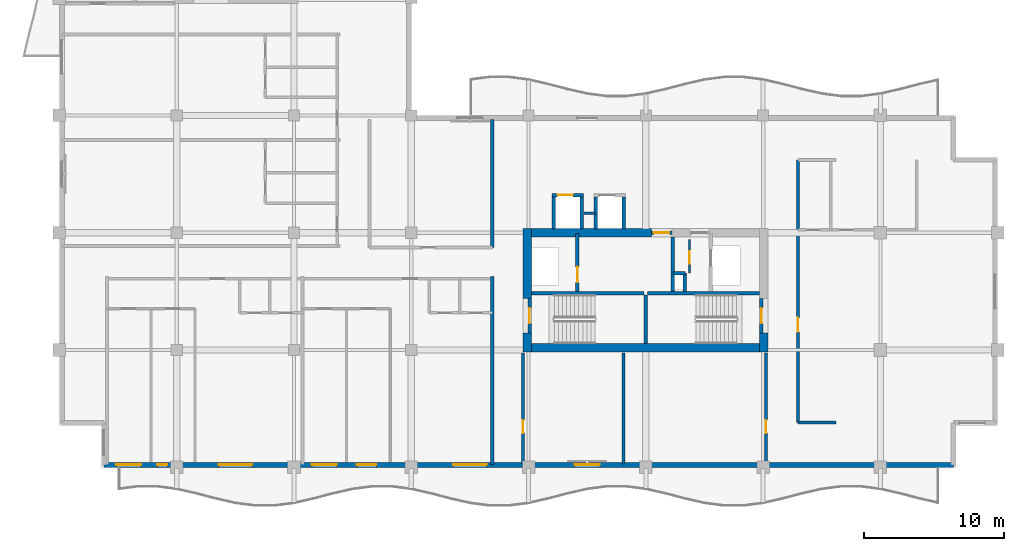
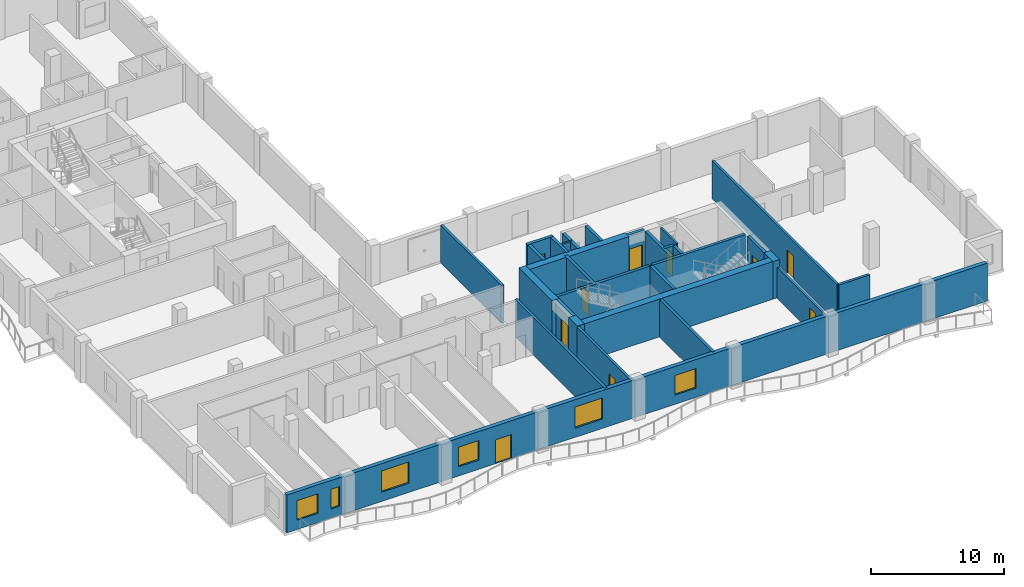
# One storey, part 4 of 12: 30 walls, 10 doors, 6 windows, 16 openings.
"""IFC4 building model written with IfcOpenShell, lengths in metres."""

from ifc_helpers import new_model, si_unit, direction, frame, frame_2d, origin, place, context, subcontext, project, spatial, rectangle, extrude, material, layer, layer_set, type_object, element, fill, save


model = new_model("IFC4")

# Units and contexts
model_context = context("Model", 3, precision=1e-05, world=origin(), true_north=direction((0.0, 1.0)))
body_context = subcontext(model_context, "Body", "Model", "MODEL_VIEW")
ifc_project = project(units=[si_unit("LENGTHUNIT", "METRE"), si_unit("AREAUNIT", "SQUARE_METRE"), si_unit("VOLUMEUNIT", "CUBIC_METRE"), si_unit("PLANEANGLEUNIT", "RADIAN"), si_unit("MASSUNIT", "GRAM", prefix="KILO")], contexts=[model_context])

# Site, building, storey
site_placement = place(None, origin())
site = spatial("IfcSite", under=ifc_project, at=site_placement, CompositionType="ELEMENT")
building_placement = place(site_placement, origin())
building = spatial("IfcBuilding", under=site, at=building_placement, Name="Koriwani Terraces Tower", CompositionType="ELEMENT")
storey_placement = place(building_placement, frame((0.0, 0.0, 256.39990234375)))
storey = spatial("IfcBuildingStorey", under=building, at=storey_placement, Name="L63", CompositionType="ELEMENT", Elevation=256.39990234375)

# Walls
ifc_material_1 = material(Name="Concrete C60/75", Category="concrete")
ifc_layer_1 = layer(ifc_material_1, 0.60009765625, Name="Concrete C60/75")
ifc_layer_set_1 = layer_set([ifc_layer_1], Name="Concrete C60/75")
wall_type_1 = type_object("IfcWallType", Name="WALL_CORE_RC_600", PredefinedType="SHEAR", material=ifc_layer_set_1)
wall_1_placement = place(storey_placement, frame((41.89990234375, 16.64990234375, 0.0), z_axis=(0.0, 0.0, 1.0), x_axis=(0.0, 1.0, 0.0)))
element("IfcWall", 1, at=wall_1_placement, inside=storey, type_object=wall_type_1, Name="L63 East Split Core Shear Wall W1", PredefinedType="SHEAR", context=body_context, shape_type="SweptSolid", body=[
    extrude(rectangle(XDim=1.35009765625, YDim=0.60009765625, at=frame_2d((0.675048828125, 0.0))), origin(), (0.0, 0.0, 1.0), 3.47021484375),
])
wall_2_placement = place(storey_placement, frame((41.89990234375, 20.5, 0.0), z_axis=(0.0, 0.0, 1.0), x_axis=(0.0, 1.0, 0.0)))
element("IfcWall", 2, at=wall_2_placement, inside=storey, type_object=wall_type_1, Name="L63 East Split Core Shear Wall W2", PredefinedType="SHEAR", context=body_context, shape_type="SweptSolid", body=[
    extrude(rectangle(XDim=5.0, YDim=0.60009765625, at=frame_2d((2.5, 0.0))), origin(), (0.0, 0.0, 1.0), 3.47021484375),
])
wall_3_placement = place(storey_placement, frame((58.85009765625, 16.64990234375, 0.0), z_axis=(0.0, 0.0, 1.0), x_axis=(0.0, 1.0, 0.0)))
element("IfcWall", 3, at=wall_3_placement, inside=storey, type_object=wall_type_1, Name="L63 East Split Core Shear Wall E1", PredefinedType="SHEAR", context=body_context, shape_type="SweptSolid", body=[
    extrude(rectangle(XDim=1.35009765625, YDim=0.60009765625, at=frame_2d((0.675048828125, 0.0))), origin(), (0.0, 0.0, 1.0), 3.47021484375),
])
wall_4_placement = place(storey_placement, frame((42.199951171875, 16.949951171875, 0.0), z_axis=(0.0, 0.0, 1.0), x_axis=(1.0, 0.0, 0.0)))
element("IfcWall", 4, at=wall_4_placement, inside=storey, type_object=wall_type_1, Name="L63 East Split Core Shear Wall S1", PredefinedType="SHEAR", context=body_context, shape_type="SweptSolid", body=[
    extrude(rectangle(XDim=16.35009765625, YDim=0.60009765625, at=frame_2d((8.175048828125, 0.0))), origin(), (0.0, 0.0, 1.0), 3.47021484375),
])
wall_5_placement = place(storey_placement, frame((42.199951171875, 25.199951171875, 0.0), z_axis=(0.0, 0.0, 1.0), x_axis=(1.0, 0.0, 0.0)))
element("IfcWall", 5, at=wall_5_placement, inside=storey, type_object=wall_type_1, Name="L63 East Split Core Shear Wall N1", PredefinedType="SHEAR", context=body_context, shape_type="SweptSolid", body=[
    extrude(rectangle(XDim=8.60009765625, YDim=0.60009765625, at=frame_2d((4.300048828125, 0.0))), origin(), (0.0, 0.0, 1.0), 3.47021484375),
])

# Wall, opening, door
ifc_material_2 = material(Name="Autoclaved Cellular Concrete Blockwork", Category="masonry")
ifc_layer_2 = layer(ifc_material_2, 0.199951171875, Name="Autoclaved Cellular Concrete Blockwork")
ifc_layer_set_2 = layer_set([ifc_layer_2], Name="Autoclaved Cellular Concrete Blockwork")
wall_type_2 = type_object("IfcWallType", Name="WALL_CORRIDOR_200", PredefinedType="PARTITIONING", material=ifc_layer_set_2)
wall_6_placement = place(storey_placement, frame((41.60009765625, 8.64990234375, 0.0), z_axis=(0.0, 0.0, 1.0), x_axis=(0.0, 1.0, 0.0)))
wall_6 = element("IfcWall", 6, at=wall_6_placement, inside=storey, type_object=wall_type_2, Name="L63 Interior Wall WRZ4-EW-L63", PredefinedType="PARTITIONING", context=body_context, shape_type="SweptSolid", body=[
    extrude(rectangle(XDim=7.9501953125, YDim=0.199951171875, at=frame_2d((3.97509765625, 0.0))), origin(), (0.0, 0.0, 1.0), 3.47021484375),
])
opening_1_placement = place(wall_6_placement, frame((2.199951171875, 0.0, 0.0)))
opening_1 = element("IfcOpeningElement", 7, at=opening_1_placement, cuts=wall_6, Name="Opening D-06", PredefinedType="OPENING", context=body_context, shape_type="SweptSolid", body=[
    extrude(rectangle(XDim=0.919921875, YDim=2.10009765625, at=frame_2d((0.4599609375, 1.050048828125))), frame((0.0, 0.10986328125, 0.0), z_axis=(0.0, -1.0, 0.0), x_axis=(1.0, 0.0, 0.0)), (0.0, 0.0, 1.0), 0.219970703125),
])
ifc_material_3 = material(Name="Architectural Oak Fire Door", Category="wood")
door_type_1 = type_object("IfcDoorType", Name="DOOR_ROOM_INT_920X2100", OperationType="NOTDEFINED", PredefinedType="DOOR", material=ifc_material_3)
door_1_placement = place(opening_1_placement, origin())
door_1 = element("IfcDoor", 8, at=door_1_placement, inside=storey, type_object=door_type_1, Name="L63 Resident Library Study Door", OperationType="SINGLE_SWING_RIGHT", OverallHeight=2.10009765625, OverallWidth=0.919921875, PredefinedType="DOOR", context=body_context, shape_type="SweptSolid", body=[
    extrude(rectangle(XDim=0.919921875, YDim=2.10009765625, at=frame_2d((0.4599609375, 1.050048828125))), frame((0.0, 0.02490234375, 0.0), z_axis=(0.0, -1.0, 0.0), x_axis=(1.0, 0.0, 0.0)), (0.0, 0.0, 1.0), 0.050048828125),
])
fill(opening_1, door_1)

wall_7_placement = place(storey_placement, frame((59.0, 8.64990234375, 0.0), z_axis=(0.0, 0.0, 1.0), x_axis=(0.0, 1.0, 0.0)))
wall_7 = element("IfcWall", 9, at=wall_7_placement, inside=storey, type_object=wall_type_2, Name="L63 Interior Wall WRZ4-EE-L63", PredefinedType="PARTITIONING", context=body_context, shape_type="SweptSolid", body=[
    extrude(rectangle(XDim=7.9501953125, YDim=0.199951171875, at=frame_2d((3.97509765625, 0.0))), origin(), (0.0, 0.0, 1.0), 2.820068359375),
])
opening_2_placement = place(wall_7_placement, frame((2.199951171875, 0.0, 0.0)))
opening_2 = element("IfcOpeningElement", 10, at=opening_2_placement, cuts=wall_7, Name="Opening D-06", PredefinedType="OPENING", context=body_context, shape_type="SweptSolid", body=[
    extrude(rectangle(XDim=0.919921875, YDim=2.10009765625, at=frame_2d((0.4599609375, 1.050048828125))), frame((0.0, 0.10986328125, 0.0), z_axis=(0.0, -1.0, 0.0), x_axis=(1.0, 0.0, 0.0)), (0.0, 0.0, 1.0), 0.219970703125),
])
door_2_placement = place(opening_2_placement, origin())
door_2 = element("IfcDoor", 11, at=door_2_placement, inside=storey, type_object=door_type_1, Name="L63 Resident Laundry Room Door", OperationType="SINGLE_SWING_LEFT", OverallHeight=2.10009765625, OverallWidth=0.919921875, PredefinedType="DOOR", context=body_context, shape_type="SweptSolid", body=[
    extrude(rectangle(XDim=0.919921875, YDim=2.10009765625, at=frame_2d((0.4599609375, 1.050048828125))), frame((0.0, 0.02490234375, 0.0), z_axis=(0.0, -1.0, 0.0), x_axis=(1.0, 0.0, 0.0)), (0.0, 0.0, 1.0), 0.050048828125),
])
fill(opening_2, door_2)

wall_8_placement = place(storey_placement, frame((61.300048828125, 11.60009765625, 0.0), z_axis=(0.0, 0.0, 1.0), x_axis=(0.0, 1.0, 0.0)))
wall_8 = element("IfcWall", 12, at=wall_8_placement, inside=storey, type_object=wall_type_2, Name="L63 Interior Wall WET-W-L63", PredefinedType="PARTITIONING", context=body_context, shape_type="SweptSolid", body=[
    extrude(rectangle(XDim=18.7998046875, YDim=0.199951171875, at=frame_2d((9.39990234375, 0.0))), origin(), (0.0, 0.0, 1.0), 3.47021484375),
])
opening_3_placement = place(wall_8_placement, frame((6.5, 0.0, 0.0)))
opening_3 = element("IfcOpeningElement", 13, at=opening_3_placement, cuts=wall_8, Name="Opening D-05", PredefinedType="OPENING", context=body_context, shape_type="SweptSolid", body=[
    extrude(rectangle(XDim=1.0, YDim=2.14990234375, at=frame_2d((0.5, 1.074951171875))), frame((0.0, 0.10986328125, 0.0), z_axis=(0.0, -1.0, 0.0), x_axis=(1.0, 0.0, 0.0)), (0.0, 0.0, 1.0), 0.219970703125),
])
door_type_2 = type_object("IfcDoorType", Name="DOOR_SUITE_ENTRY_1000X2150", OperationType="NOTDEFINED", PredefinedType="DOOR", material=ifc_material_3)
door_3_placement = place(opening_3_placement, origin())
door_3 = element("IfcDoor", 14, at=door_3_placement, inside=storey, type_object=door_type_2, Name="Apartment 63ET Entrance Door", OperationType="SINGLE_SWING_LEFT", OverallHeight=2.14990234375, OverallWidth=1.0, PredefinedType="DOOR", context=body_context, shape_type="SweptSolid", body=[
    extrude(rectangle(XDim=1.0, YDim=2.14990234375, at=frame_2d((0.5, 1.074951171875))), frame((0.0, 0.02490234375, 0.0), z_axis=(0.0, -1.0, 0.0), x_axis=(1.0, 0.0, 0.0)), (0.0, 0.0, 1.0), 0.050048828125),
])
fill(opening_3, door_3)

# Walls
ifc_layer_3 = layer(ifc_material_2, 0.219970703125, Name="Autoclaved Cellular Concrete Blockwork")
ifc_layer_set_3 = layer_set([ifc_layer_3], Name="Autoclaved Cellular Concrete Blockwork")
wall_type_3 = type_object("IfcWallType", Name="WALL_DEMISING_220", PredefinedType="PARTITIONING", material=ifc_layer_set_3)
wall_9_placement = place(storey_placement, frame((39.39990234375, 24.14990234375, 0.0), z_axis=(0.0, 0.0, 1.0), x_axis=(0.0, 1.0, 0.0)))
element("IfcWall", 15, at=wall_9_placement, inside=storey, type_object=wall_type_3, Name="L63 Interior Wall WIC4SE-L63", PredefinedType="PARTITIONING", context=body_context, shape_type="SweptSolid", body=[
    extrude(rectangle(XDim=9.150146484375, YDim=0.219970703125, at=frame_2d((4.5751953125, 0.0))), origin(), (0.0, 0.0, 1.0), 3.47021484375),
])
wall_10_placement = place(storey_placement, frame((48.800048828125, 8.64990234375, 0.0), z_axis=(0.0, 0.0, 1.0), x_axis=(0.0, 1.0, 0.0)))
element("IfcWall", 16, at=wall_10_placement, inside=storey, type_object=wall_type_3, Name="L63 Interior Wall WRZ4-EM-L63", PredefinedType="PARTITIONING", context=body_context, shape_type="SweptSolid", body=[
    extrude(rectangle(XDim=7.9501953125, YDim=0.219970703125, at=frame_2d((3.97509765625, 0.0))), origin(), (0.0, 0.0, 1.0), 3.47021484375),
])
wall_11_placement = place(storey_placement, frame((39.39990234375, 8.60009765625, 0.0), z_axis=(0.0, 0.0, 1.0), x_axis=(0.0, 1.0, 0.0)))
element("IfcWall", 17, at=wall_11_placement, inside=storey, type_object=wall_type_3, Name="L63 Interior Wall WRDEME-L63-SW", PredefinedType="PARTITIONING", context=body_context, shape_type="SweptSolid", body=[
    extrude(rectangle(XDim=13.47998046875, YDim=0.219970703125, at=frame_2d((6.739990234375, 0.0))), origin(), (0.0, 0.0, 1.0), 3.47021484375),
])
wall_12_placement = place(storey_placement, frame((61.300048828125, 11.60009765625, 0.0), z_axis=(0.0, 0.0, 1.0), x_axis=(1.0, 0.0, 0.0)))
element("IfcWall", 18, at=wall_12_placement, inside=storey, type_object=wall_type_3, Name="L63 Interior Wall WET-S-L63", PredefinedType="PARTITIONING", context=body_context, shape_type="SweptSolid", body=[
    extrude(rectangle(XDim=2.699951171875, YDim=0.219970703125, at=frame_2d((1.35009765625, 0.0))), origin(), (0.0, 0.0, 1.0), 3.47021484375),
])

# Wall, openings, door, windows
ifc_material_4 = material(Name="Concrete C50/60", Category="concrete")
ifc_layer_4 = layer(ifc_material_4, 0.35009765625, Name="Concrete C50/60")
ifc_layer_set_4 = layer_set([ifc_layer_4], Name="Concrete C50/60")
wall_type_4 = type_object("IfcWallType", Name="WALL_EXT_BRUTALIST_350", PredefinedType="STANDARD", material=ifc_layer_set_4)
wall_13_placement = place(storey_placement, frame((72.425048828125, 8.574951171875, 0.0), z_axis=(0.0, 0.0, 1.0), x_axis=(-1.0, 0.0, 0.0)))
wall_13 = element("IfcWall", 19, at=wall_13_placement, inside=storey, type_object=wall_type_4, Name="L63 Fair-Faced Brutalist Exterior Wall (S)", PredefinedType="STANDARD", context=body_context, shape_type="SweptSolid", body=[
    extrude(rectangle(XDim=60.85009765625, YDim=0.35009765625, at=frame_2d((30.425048828125, 0.0))), origin(), (0.0, 0.0, 1.0), 3.47021484375),
])
opening_4_placement = place(wall_13_placement, frame((41.324951171875, 0.0, 0.0)))
opening_4 = element("IfcOpeningElement", 20, at=opening_4_placement, cuts=wall_13, Name="Opening D-09", PredefinedType="OPENING", context=body_context, shape_type="SweptSolid", body=[
    extrude(rectangle(XDim=1.39990234375, YDim=2.199951171875, at=frame_2d((0.699951171875, 1.10009765625))), frame((0.0, 0.18505859375, 0.0), z_axis=(0.0, -1.0, 0.0), x_axis=(1.0, 0.0, 0.0)), (0.0, 0.0, 1.0), 0.3701171875),
])
opening_5_placement = place(wall_13_placement, frame((50.22509765625, 0.0, 0.85009765625)))
opening_5 = element("IfcOpeningElement", 21, at=opening_5_placement, cuts=wall_13, Name="Opening W-03", PredefinedType="OPENING", context=body_context, shape_type="SweptSolid", body=[
    extrude(rectangle(XDim=2.39990234375, YDim=1.949951171875, at=frame_2d((1.199951171875, 0.97509765625))), frame((0.0, 0.18505859375, 0.0), z_axis=(0.0, -1.0, 0.0), x_axis=(1.0, 0.0, 0.0)), (0.0, 0.0, 1.0), 0.3701171875),
])
opening_6_placement = place(wall_13_placement, frame((33.425048828125, 0.0, 0.85009765625)))
opening_6 = element("IfcOpeningElement", 22, at=opening_6_placement, cuts=wall_13, Name="Opening W-03", PredefinedType="OPENING", context=body_context, shape_type="SweptSolid", body=[
    extrude(rectangle(XDim=2.39990234375, YDim=1.949951171875, at=frame_2d((1.199951171875, 0.97509765625))), frame((0.0, 0.18505859375, 0.0), z_axis=(0.0, -1.0, 0.0), x_axis=(1.0, 0.0, 0.0)), (0.0, 0.0, 1.0), 0.3701171875),
])
opening_7_placement = place(wall_13_placement, frame((25.324951171875, 0.0, 0.85009765625)))
opening_7 = element("IfcOpeningElement", 23, at=opening_7_placement, cuts=wall_13, Name="Opening W-04", PredefinedType="OPENING", context=body_context, shape_type="SweptSolid", body=[
    extrude(rectangle(XDim=1.800048828125, YDim=1.800048828125, at=frame_2d((0.89990234375, 0.89990234375))), frame((0.0, 0.18505859375, 0.0), z_axis=(0.0, -1.0, 0.0), x_axis=(1.0, 0.0, 0.0)), (0.0, 0.0, 1.0), 0.3701171875),
])
opening_8_placement = place(wall_13_placement, frame((58.14990234375, 0.0, 0.85009765625)))
opening_8 = element("IfcOpeningElement", 24, at=opening_8_placement, cuts=wall_13, Name="Opening W-04", PredefinedType="OPENING", context=body_context, shape_type="SweptSolid", body=[
    extrude(rectangle(XDim=1.800048828125, YDim=1.800048828125, at=frame_2d((0.89990234375, 0.89990234375))), frame((0.0, 0.18505859375, 0.0), z_axis=(0.0, -1.0, 0.0), x_axis=(1.0, 0.0, 0.0)), (0.0, 0.0, 1.0), 0.3701171875),
])
opening_9_placement = place(wall_13_placement, frame((56.2900390625, 0.0, 0.85009765625)))
opening_9 = element("IfcOpeningElement", 25, at=opening_9_placement, cuts=wall_13, Name="Opening W-08", PredefinedType="OPENING", context=body_context, shape_type="SweptSolid", body=[
    extrude(rectangle(XDim=0.719970703125, YDim=1.800048828125, at=frame_2d((0.35986328125, 0.89990234375))), frame((0.0, 0.18505859375, 0.0), z_axis=(0.0, -1.0, 0.0), x_axis=(1.0, 0.0, 0.0)), (0.0, 0.0, 1.0), 0.3701171875),
])
opening_10_placement = place(wall_13_placement, frame((44.14990234375, 0.0, 0.85009765625)))
opening_10 = element("IfcOpeningElement", 26, at=opening_10_placement, cuts=wall_13, Name="Opening W-04", PredefinedType="OPENING", context=body_context, shape_type="SweptSolid", body=[
    extrude(rectangle(XDim=1.800048828125, YDim=1.800048828125, at=frame_2d((0.89990234375, 0.89990234375))), frame((0.0, 0.18505859375, 0.0), z_axis=(0.0, -1.0, 0.0), x_axis=(1.0, 0.0, 0.0)), (0.0, 0.0, 1.0), 0.3701171875),
])
ifc_material_5 = material(Name="Anodised Bronze Aluminium", Category="aluminium")
door_type_3 = type_object("IfcDoorType", Name="DOOR_BALCONY_GLAZED_1400X2200", OperationType="NOTDEFINED", PredefinedType="DOOR", material=ifc_material_5)
door_4_placement = place(opening_4_placement, origin())
door_4 = element("IfcDoor", 27, at=door_4_placement, inside=storey, type_object=door_type_3, Name="L63 South Balcony Glazed Door", OperationType="SINGLE_SWING_LEFT", OverallHeight=2.199951171875, OverallWidth=1.39990234375, PredefinedType="DOOR", context=body_context, shape_type="SweptSolid", body=[
    extrude(rectangle(XDim=1.39990234375, YDim=2.199951171875, at=frame_2d((0.699951171875, 1.10009765625))), frame((0.0, 0.02490234375, 0.0), z_axis=(0.0, -1.0, 0.0), x_axis=(1.0, 0.0, 0.0)), (0.0, 0.0, 1.0), 0.050048828125),
])
fill(opening_4, door_4)
ifc_material_6 = material(Name="Tempered Laminated Low-E Glass", Category="glass")
window_type_1 = type_object("IfcWindowType", Name="WIN_RES_BED_1800X1800", PartitioningType="DOUBLE_PANEL_VERTICAL", PredefinedType="WINDOW", material=ifc_material_6)
window_1_placement = place(opening_7_placement, origin())
window_1 = element("IfcWindow", 28, at=window_1_placement, inside=storey, type_object=window_type_1, Name="L63 Exterior Window (S-12)", OverallHeight=1.800048828125, OverallWidth=1.800048828125, PartitioningType="SINGLE_PANEL", PredefinedType="WINDOW", context=body_context, shape_type="SweptSolid", body=[
    extrude(rectangle(XDim=1.800048828125, YDim=1.800048828125, at=frame_2d((0.89990234375, 0.89990234375))), frame((0.0, 0.030029296875, 0.0), z_axis=(0.0, -1.0, 0.0), x_axis=(1.0, 0.0, 0.0)), (0.0, 0.0, 1.0), 0.06005859375),
])
fill(opening_7, window_1)
window_2_placement = place(opening_8_placement, origin())
window_2 = element("IfcWindow", 29, at=window_2_placement, inside=storey, type_object=window_type_1, Name="L63 Exterior Window (S-R32)", OverallHeight=1.800048828125, OverallWidth=1.800048828125, PartitioningType="SINGLE_PANEL", PredefinedType="WINDOW", context=body_context, shape_type="SweptSolid", body=[
    extrude(rectangle(XDim=1.800048828125, YDim=1.800048828125, at=frame_2d((0.89990234375, 0.89990234375))), frame((0.0, 0.030029296875, 0.0), z_axis=(0.0, -1.0, 0.0), x_axis=(1.0, 0.0, 0.0)), (0.0, 0.0, 1.0), 0.06005859375),
])
fill(opening_8, window_2)
window_3_placement = place(opening_10_placement, origin())
window_3 = element("IfcWindow", 30, at=window_3_placement, inside=storey, type_object=window_type_1, Name="L63 Exterior Window (S-R37)", OverallHeight=1.800048828125, OverallWidth=1.800048828125, PartitioningType="SINGLE_PANEL", PredefinedType="WINDOW", context=body_context, shape_type="SweptSolid", body=[
    extrude(rectangle(XDim=1.800048828125, YDim=1.800048828125, at=frame_2d((0.89990234375, 0.89990234375))), frame((0.0, 0.030029296875, 0.0), z_axis=(0.0, -1.0, 0.0), x_axis=(1.0, 0.0, 0.0)), (0.0, 0.0, 1.0), 0.06005859375),
])
fill(opening_10, window_3)
window_type_2 = type_object("IfcWindowType", Name="WIN_RES_CASEMENT_1200X1800", PartitioningType="SINGLE_PANEL", PredefinedType="WINDOW", material=ifc_material_6)
window_4_placement = place(opening_9_placement, origin())
window_4 = element("IfcWindow", 31, at=window_4_placement, inside=storey, type_object=window_type_2, Name="L63 Exterior Window (S-R33)", OverallHeight=1.800048828125, OverallWidth=0.719970703125, PartitioningType="SINGLE_PANEL", PredefinedType="WINDOW", context=body_context, shape_type="SweptSolid", body=[
    extrude(rectangle(XDim=0.719970703125, YDim=1.800048828125, at=frame_2d((0.35986328125, 0.89990234375))), frame((0.0, 0.030029296875, 0.0), z_axis=(0.0, -1.0, 0.0), x_axis=(1.0, 0.0, 0.0)), (0.0, 0.0, 1.0), 0.06005859375),
])
fill(opening_9, window_4)
window_type_3 = type_object("IfcWindowType", Name="WIN_RES_LIVING_2400X1950", PartitioningType="DOUBLE_PANEL_VERTICAL", PredefinedType="WINDOW", material=ifc_material_6)
window_5_placement = place(opening_5_placement, origin())
window_5 = element("IfcWindow", 32, at=window_5_placement, inside=storey, type_object=window_type_3, Name="L63 Exterior Window (S-3)", OverallHeight=1.949951171875, OverallWidth=2.39990234375, PartitioningType="SINGLE_PANEL", PredefinedType="WINDOW", context=body_context, shape_type="SweptSolid", body=[
    extrude(rectangle(XDim=2.39990234375, YDim=1.949951171875, at=frame_2d((1.199951171875, 0.97509765625))), frame((0.0, 0.030029296875, 0.0), z_axis=(0.0, -1.0, 0.0), x_axis=(1.0, 0.0, 0.0)), (0.0, 0.0, 1.0), 0.06005859375),
])
fill(opening_5, window_5)
window_6_placement = place(opening_6_placement, origin())
window_6 = element("IfcWindow", 33, at=window_6_placement, inside=storey, type_object=window_type_3, Name="L63 Exterior Window (S-9)", OverallHeight=1.949951171875, OverallWidth=2.39990234375, PartitioningType="SINGLE_PANEL", PredefinedType="WINDOW", context=body_context, shape_type="SweptSolid", body=[
    extrude(rectangle(XDim=2.39990234375, YDim=1.949951171875, at=frame_2d((1.199951171875, 0.97509765625))), frame((0.0, 0.030029296875, 0.0), z_axis=(0.0, -1.0, 0.0), x_axis=(1.0, 0.0, 0.0)), (0.0, 0.0, 1.0), 0.06005859375),
])
fill(opening_6, window_6)

# Walls
ifc_material_7 = material(Name="Concrete C40/50", Category="concrete")
ifc_layer_5 = layer(ifc_material_7, 0.25, Name="Concrete C40/50")
ifc_layer_set_5 = layer_set([ifc_layer_5], Name="Concrete C40/50")
wall_type_5 = type_object("IfcWallType", Name="WALL_SHAFT_RATED_250", PredefinedType="SOLIDWALL", material=ifc_layer_set_5)
for number, where, z_axis, x_axis, name in (
    (34, (42.199951171875, 20.875, 0.0), (0.0, 0.0, 1.0), (1.0, 0.0, 0.0), "L63 East Split Core Web Wall MID1"),
    (35, (50.5, 20.875, 0.0), (0.0, 0.0, 1.0), (1.0, 0.0, 0.0), "L63 East Split Core Web Wall MID2"),
):
    element("IfcWall", number, at=place(storey_placement, frame(where, z_axis=z_axis, x_axis=x_axis)), inside=storey, type_object=wall_type_5, Name=name, PredefinedType="SOLIDWALL", context=body_context, shape_type="SweptSolid", body=[
        extrude(rectangle(XDim=8.050048828125, YDim=0.25, at=frame_2d((4.02490234375, 0.0))), origin(), (0.0, 0.0, 1.0), 3.47021484375),
    ])
wall_14_placement = place(storey_placement, frame((50.375, 17.25, 0.0), z_axis=(0.0, 0.0, 1.0), x_axis=(0.0, 1.0, 0.0)))
element("IfcWall", 36, at=wall_14_placement, inside=storey, type_object=wall_type_5, Name="L63 East Split Core Stair Dividing Wall", PredefinedType="SOLIDWALL", context=body_context, shape_type="SweptSolid", body=[
    extrude(rectangle(XDim=3.5, YDim=0.25, at=frame_2d((1.75, 0.0))), origin(), (0.0, 0.0, 1.0), 3.47021484375),
])

# Wall, opening, door
wall_15_placement = place(storey_placement, frame((42.074951171875, 18.0, 0.0), z_axis=(0.0, 0.0, 1.0), x_axis=(0.0, 1.0, 0.0)))
wall_15 = element("IfcWall", 37, at=wall_15_placement, inside=storey, type_object=wall_type_5, Name="L63 Interior Wall WIN-CE-L63-STW", PredefinedType="SOLIDWALL", context=body_context, shape_type="SweptSolid", body=[
    extrude(rectangle(XDim=2.5, YDim=0.25, at=frame_2d((1.25, 0.0))), origin(), (0.0, 0.0, 1.0), 3.47021484375),
])
opening_11_placement = place(wall_15_placement, frame((0.699951171875, 0.0, 0.0)))
opening_11 = element("IfcOpeningElement", 38, at=opening_11_placement, cuts=wall_15, Name="Opening D-03", PredefinedType="OPENING", context=body_context, shape_type="SweptSolid", body=[
    extrude(rectangle(XDim=1.10009765625, YDim=2.14990234375, at=frame_2d((0.550048828125, 1.074951171875))), frame((0.0, 0.135009765625, 0.0), z_axis=(0.0, -1.0, 0.0), x_axis=(1.0, 0.0, 0.0)), (0.0, 0.0, 1.0), 0.27001953125),
])
ifc_material_8 = material(Name="Steel ASTM A572 Grade 50", Category="steel")
door_type_4 = type_object("IfcDoorType", Name="DOOR_STAIR_FIRE_1100X2150", OperationType="NOTDEFINED", PredefinedType="DOOR", material=ifc_material_8)
door_5_placement = place(opening_11_placement, origin())
door_5 = element("IfcDoor", 39, at=door_5_placement, inside=storey, type_object=door_type_4, Name="L63 Exit Stair ST-E1 Door", OperationType="SINGLE_SWING_RIGHT", OverallHeight=2.14990234375, OverallWidth=1.10009765625, PredefinedType="DOOR", context=body_context, shape_type="SweptSolid", body=[
    extrude(rectangle(XDim=1.10009765625, YDim=2.14990234375, at=frame_2d((0.550048828125, 1.074951171875))), frame((0.0, 0.02490234375, 0.0), z_axis=(0.0, -1.0, 0.0), x_axis=(1.0, 0.0, 0.0)), (0.0, 0.0, 1.0), 0.050048828125),
])
fill(opening_11, door_5)

wall_16_placement = place(storey_placement, frame((58.675048828125, 18.0, 0.0), z_axis=(0.0, 0.0, 1.0), x_axis=(0.0, 1.0, 0.0)))
wall_16 = element("IfcWall", 40, at=wall_16_placement, inside=storey, type_object=wall_type_5, Name="L63 Interior Wall WIN-CE-L63-STE", PredefinedType="SOLIDWALL", context=body_context, shape_type="SweptSolid", body=[
    extrude(rectangle(XDim=2.5, YDim=0.25, at=frame_2d((1.25, 0.0))), origin(), (0.0, 0.0, 1.0), 3.47021484375),
])
opening_12_placement = place(wall_16_placement, frame((0.699951171875, 0.0, 0.0)))
opening_12 = element("IfcOpeningElement", 41, at=opening_12_placement, cuts=wall_16, Name="Opening D-03", PredefinedType="OPENING", context=body_context, shape_type="SweptSolid", body=[
    extrude(rectangle(XDim=1.10009765625, YDim=2.14990234375, at=frame_2d((0.550048828125, 1.074951171875))), frame((0.0, 0.135009765625, 0.0), z_axis=(0.0, -1.0, 0.0), x_axis=(1.0, 0.0, 0.0)), (0.0, 0.0, 1.0), 0.27001953125),
])
door_6_placement = place(opening_12_placement, origin())
door_6 = element("IfcDoor", 42, at=door_6_placement, inside=storey, type_object=door_type_4, Name="L63 Exit Stair ST-E2 Door", OperationType="SINGLE_SWING_LEFT", OverallHeight=2.14990234375, OverallWidth=1.10009765625, PredefinedType="DOOR", context=body_context, shape_type="SweptSolid", body=[
    extrude(rectangle(XDim=1.10009765625, YDim=2.14990234375, at=frame_2d((0.550048828125, 1.074951171875))), frame((0.0, 0.02490234375, 0.0), z_axis=(0.0, -1.0, 0.0), x_axis=(1.0, 0.0, 0.0)), (0.0, 0.0, 1.0), 0.050048828125),
])
fill(opening_12, door_6)

wall_17_placement = place(storey_placement, frame((45.5, 21.0, 0.0), z_axis=(0.0, 0.0, 1.0), x_axis=(0.0, 1.0, 0.0)))
wall_17 = element("IfcWall", 43, at=wall_17_placement, inside=storey, type_object=wall_type_5, Name="L63 Interior Wall WIN-CE-L63-FE", PredefinedType="SOLIDWALL", context=body_context, shape_type="SweptSolid", body=[
    extrude(rectangle(XDim=4.14990234375, YDim=0.25, at=frame_2d((2.074951171875, 0.0))), origin(), (0.0, 0.0, 1.0), 3.47021484375),
])
opening_13_placement = place(wall_17_placement, frame((0.64990234375, 0.0, 0.0)))
opening_13 = element("IfcOpeningElement", 44, at=opening_13_placement, cuts=wall_17, Name="Opening LD-01", PredefinedType="OPENING", context=body_context, shape_type="SweptSolid", body=[
    extrude(rectangle(XDim=1.10009765625, YDim=2.14990234375, at=frame_2d((0.550048828125, 1.074951171875))), frame((0.0, 0.135009765625, 0.0), z_axis=(0.0, -1.0, 0.0), x_axis=(1.0, 0.0, 0.0)), (0.0, 0.0, 1.0), 0.27001953125),
])
door_type_5 = type_object("IfcDoorType", Name="DOOR_LIFT_LANDING_1100X2200", OperationType="NOTDEFINED", PredefinedType="DOOR", material=ifc_material_8)
door_7_placement = place(opening_13_placement, origin())
door_7 = element("IfcDoor", 45, at=door_7_placement, inside=storey, type_object=door_type_5, Name="L63 Firefighting Lift FE-02 Landing Door", OperationType="SLIDING_TO_LEFT", OverallHeight=2.14990234375, OverallWidth=1.10009765625, PredefinedType="DOOR", context=body_context, shape_type="SweptSolid", body=[
    extrude(rectangle(XDim=1.10009765625, YDim=2.14990234375, at=frame_2d((0.550048828125, 1.074951171875))), frame((0.0, 0.02490234375, 0.0), z_axis=(0.0, -1.0, 0.0), x_axis=(1.0, 0.0, 0.0)), (0.0, 0.0, 1.0), 0.050048828125),
])
fill(opening_13, door_7)

wall_18_placement = place(storey_placement, frame((50.800048828125, 25.199951171875, 0.0), z_axis=(0.0, 0.0, 1.0), x_axis=(1.0, 0.0, 0.0)))
wall_18 = element("IfcWall", 46, at=wall_18_placement, inside=storey, type_object=wall_type_5, Name="L63 Interior Wall WIN-CE-L63-NP", PredefinedType="SOLIDWALL", context=body_context, shape_type="SweptSolid", body=[
    extrude(rectangle(XDim=1.47998046875, YDim=0.25, at=frame_2d((0.739990234375, 0.0))), origin(), (0.0, 0.0, 1.0), 3.47021484375),
])
opening_14_placement = place(wall_18_placement, frame((0.179931640625, 0.0, 0.0)))
opening_14 = element("IfcOpeningElement", 47, at=opening_14_placement, cuts=wall_18, Name="Opening D-03", PredefinedType="OPENING", context=body_context, shape_type="SweptSolid", body=[
    extrude(rectangle(XDim=1.10009765625, YDim=2.14990234375, at=frame_2d((0.550048828125, 1.074951171875))), frame((0.0, 0.135009765625, 0.0), z_axis=(0.0, -1.0, 0.0), x_axis=(1.0, 0.0, 0.0)), (0.0, 0.0, 1.0), 0.27001953125),
])
door_8_placement = place(opening_14_placement, origin())
door_8 = element("IfcDoor", 48, at=door_8_placement, inside=storey, type_object=door_type_4, Name="L63 East Firefighting Lobby Door", OperationType="SINGLE_SWING_RIGHT", OverallHeight=2.14990234375, OverallWidth=1.10009765625, PredefinedType="DOOR", context=body_context, shape_type="SweptSolid", body=[
    extrude(rectangle(XDim=1.10009765625, YDim=2.14990234375, at=frame_2d((0.550048828125, 1.074951171875))), frame((0.0, 0.02490234375, 0.0), z_axis=(0.0, -1.0, 0.0), x_axis=(1.0, 0.0, 0.0)), (0.0, 0.0, 1.0), 0.050048828125),
])
fill(opening_14, door_8)

# Walls
wall_19_placement = place(storey_placement, frame((52.340087890625, 21.0, 0.0), z_axis=(0.0, 0.0, 1.0), x_axis=(0.0, 1.0, 0.0)))
element("IfcWall", 49, at=wall_19_placement, inside=storey, type_object=wall_type_5, Name="L63 Interior Wall WIN-CE-L63-FFE", PredefinedType="SOLIDWALL", context=body_context, shape_type="SweptSolid", body=[
    extrude(rectangle(XDim=3.89990234375, YDim=0.25, at=frame_2d((1.949951171875, 0.0))), origin(), (0.0, 0.0, 1.0), 3.47021484375),
])
wall_20_placement = place(storey_placement, frame((53.199951171875, 21.0, 0.0), z_axis=(0.0, 0.0, 1.0), x_axis=(0.0, 1.0, 0.0)))
element("IfcWall", 50, at=wall_20_placement, inside=storey, type_object=wall_type_5, Name="L63 Interior Wall WIN-CE-L63-RS1", PredefinedType="SOLIDWALL", context=body_context, shape_type="SweptSolid", body=[
    extrude(rectangle(XDim=1.300048828125, YDim=0.25, at=frame_2d((0.64990234375, 0.0))), origin(), (0.0, 0.0, 1.0), 3.47021484375),
])
wall_21_placement = place(storey_placement, frame((52.360107421875, 22.300048828125, 0.0), z_axis=(0.0, 0.0, 1.0), x_axis=(1.0, 0.0, 0.0)))
element("IfcWall", 51, at=wall_21_placement, inside=storey, type_object=wall_type_5, Name="L63 Interior Wall WIN-CE-L63-RS2", PredefinedType="SOLIDWALL", context=body_context, shape_type="SweptSolid", body=[
    extrude(rectangle(XDim=0.83984375, YDim=0.25, at=frame_2d((0.419921875, 0.0))), origin(), (0.0, 0.0, 1.0), 3.47021484375),
])

# Wall, opening, door
wall_22_placement = place(storey_placement, frame((43.675048828125, 27.89990234375, 0.0), z_axis=(0.0, 0.0, 1.0), x_axis=(1.0, 0.0, 0.0)))
wall_22 = element("IfcWall", 52, at=wall_22_placement, inside=storey, type_object=wall_type_5, Name="L63 Interior Wall WIN-LF-PE-H3-L63-F", PredefinedType="SOLIDWALL", context=body_context, shape_type="SweptSolid", body=[
    extrude(rectangle(XDim=2.25, YDim=0.25, at=frame_2d((1.125, 0.0))), origin(), (0.0, 0.0, 1.0), 3.47021484375),
])
opening_15_placement = place(wall_22_placement, frame((0.39990234375, 0.0, 0.0)))
opening_15 = element("IfcOpeningElement", 53, at=opening_15_placement, cuts=wall_22, Name="Opening LD-01", PredefinedType="OPENING", context=body_context, shape_type="SweptSolid", body=[
    extrude(rectangle(XDim=1.10009765625, YDim=2.14990234375, at=frame_2d((0.550048828125, 1.074951171875))), frame((0.0, 0.135009765625, 0.0), z_axis=(0.0, -1.0, 0.0), x_axis=(1.0, 0.0, 0.0)), (0.0, 0.0, 1.0), 0.27001953125),
])
door_9_placement = place(opening_15_placement, origin())
door_9 = element("IfcDoor", 54, at=door_9_placement, inside=storey, type_object=door_type_5, Name="L63 Passenger Lift PE-H3 Landing Door", OperationType="SLIDING_TO_LEFT", OverallHeight=2.14990234375, OverallWidth=1.10009765625, PredefinedType="DOOR", context=body_context, shape_type="SweptSolid", body=[
    extrude(rectangle(XDim=1.10009765625, YDim=2.14990234375, at=frame_2d((0.550048828125, 1.074951171875))), frame((0.0, 0.02490234375, 0.0), z_axis=(0.0, -1.0, 0.0), x_axis=(1.0, 0.0, 0.0)), (0.0, 0.0, 1.0), 0.050048828125),
])
fill(opening_15, door_9)

# Walls
for number, where, z_axis, x_axis, name in (
    (55, (43.800048828125, 25.449951171875, 0.0), (0.0, 0.0, 1.0), (0.0, 1.0, 0.0), "L63 Interior Wall WIN-LF-PE-H3-L63-W"),
    (56, (45.800048828125, 25.449951171875, 0.0), (0.0, 0.0, 1.0), (0.0, 1.0, 0.0), "L63 Interior Wall WIN-LF-PE-H3-L63-E"),
    (57, (46.800048828125, 25.449951171875, 0.0), (0.0, 0.0, 1.0), (0.0, 1.0, 0.0), "L63 Interior Wall WIN-LF-PE-H4-L63-W"),
    (58, (48.800048828125, 25.449951171875, 0.0), (0.0, 0.0, 1.0), (0.0, 1.0, 0.0), "L63 Interior Wall WIN-LF-PE-H4-L63-E"),
):
    element("IfcWall", number, at=place(storey_placement, frame(where, z_axis=z_axis, x_axis=x_axis)), inside=storey, type_object=wall_type_5, Name=name, PredefinedType="SOLIDWALL", context=body_context, shape_type="SweptSolid", body=[
        extrude(rectangle(XDim=2.324951171875, YDim=0.25, at=frame_2d((1.16259765625, 0.0))), origin(), (0.0, 0.0, 1.0), 3.47021484375),
    ])

# Wall, opening, door
ifc_material_9 = material(Name="Fire-Rated Acoustic Gypsum Partition", Category="masonry")
ifc_layer_6 = layer(ifc_material_9, 0.159912109375, Name="Fire-Rated Acoustic Gypsum Partition")
ifc_layer_set_6 = layer_set([ifc_layer_6], Name="Fire-Rated Acoustic Gypsum Partition")
wall_type_6 = type_object("IfcWallType", Name="WALL_SUITE_160", PredefinedType="PARTITIONING", material=ifc_layer_set_6)
wall_23_placement = place(storey_placement, frame((53.52001953125, 22.320068359375, 0.0), z_axis=(0.0, 0.0, 1.0), x_axis=(0.0, 1.0, 0.0)))
wall_23 = element("IfcWall", 59, at=wall_23_placement, inside=storey, type_object=wall_type_6, Name="L63 Interior Wall WIN-CE-L63-SV0", PredefinedType="PARTITIONING", context=body_context, shape_type="SweptSolid", body=[
    extrude(rectangle(XDim=2.39990234375, YDim=0.159912109375, at=frame_2d((1.199951171875, 0.0))), origin(), (0.0, 0.0, 1.0), 3.47021484375),
])
opening_16_placement = place(wall_23_placement, frame((0.64990234375, 0.0, 0.0)))
opening_16 = element("IfcOpeningElement", 60, at=opening_16_placement, cuts=wall_23, Name="Opening D-07", PredefinedType="OPENING", context=body_context, shape_type="SweptSolid", body=[
    extrude(rectangle(XDim=0.89990234375, YDim=2.10009765625, at=frame_2d((0.449951171875, 1.050048828125))), frame((0.0, 0.08984375, 0.0), z_axis=(0.0, -1.0, 0.0), x_axis=(1.0, 0.0, 0.0)), (0.0, 0.0, 1.0), 0.179931640625),
])
door_type_6 = type_object("IfcDoorType", Name="DOOR_BATH_INT_900X2100", OperationType="NOTDEFINED", PredefinedType="DOOR", material=ifc_material_3)
door_10_placement = place(opening_16_placement, origin())
door_10 = element("IfcDoor", 61, at=door_10_placement, inside=storey, type_object=door_type_6, Name="L63 East Electrical Switch Room Door", OperationType="SINGLE_SWING_RIGHT", OverallHeight=2.10009765625, OverallWidth=0.89990234375, PredefinedType="DOOR", context=body_context, shape_type="SweptSolid", body=[
    extrude(rectangle(XDim=0.89990234375, YDim=2.10009765625, at=frame_2d((0.449951171875, 1.050048828125))), frame((0.0, 0.02490234375, 0.0), z_axis=(0.0, -1.0, 0.0), x_axis=(1.0, 0.0, 0.0)), (0.0, 0.0, 1.0), 0.050048828125),
])
fill(opening_16, door_10)

# Wall
wall_24_placement = place(storey_placement, frame((45.9599609375, 26.60009765625, 0.0), z_axis=(0.0, 0.0, 1.0), x_axis=(1.0, 0.0, 0.0)))
element("IfcWall", 62, at=wall_24_placement, inside=storey, type_object=wall_type_6, Name="L63 Interior Wall WIN-LF-PEH34-MID-L63", PredefinedType="PARTITIONING", context=body_context, shape_type="SweptSolid", body=[
    extrude(rectangle(XDim=0.880126953125, YDim=0.159912109375, at=frame_2d((0.43994140625, 0.0))), origin(), (0.0, 0.0, 1.0), 3.47021484375),
])

save(model, "model.ifc")
